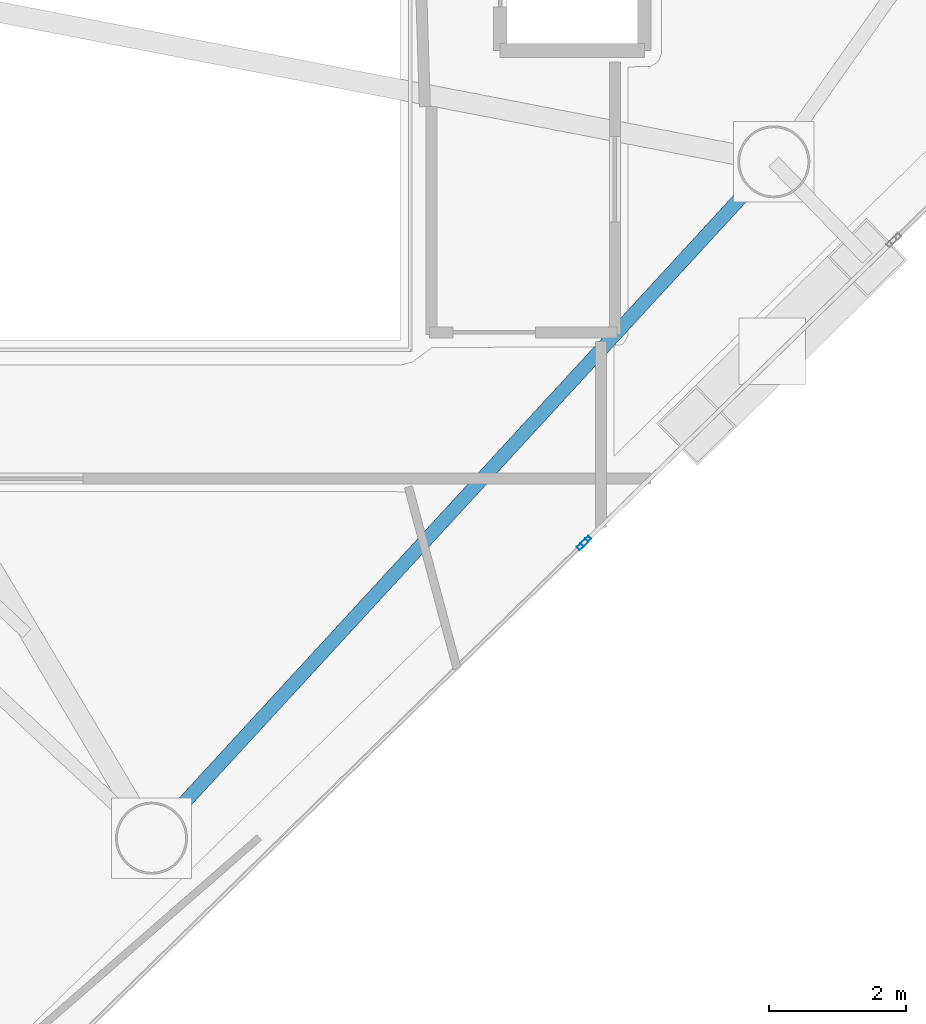
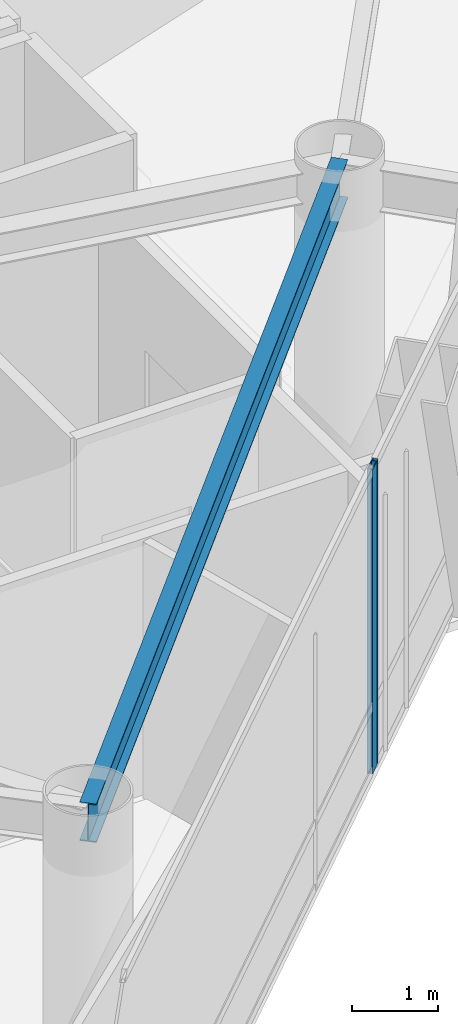
# One storey, part 5 of 21: 2 members, 1 beam, 2 elements without a shape of their own.
"""IFC4 building model written with IfcOpenShell, lengths in metres."""

from ifc_helpers import new_model, si_unit, direction, frame, origin, origin_2d, place, context, subcontext, project, spatial, hollow_rectangle, i_section, extrude, material, layer, layer_set, material_profile, profile_set, type_object, element, aggregate, save


model = new_model("IFC4")

# Units and contexts
model_context = context("Model", 3, precision=1e-05, world=origin(), true_north=direction((0.0, 1.0)))
body_context = subcontext(model_context, "Body", "Model", "MODEL_VIEW")
ifc_project = project(units=[si_unit("LENGTHUNIT", "METRE"), si_unit("AREAUNIT", "SQUARE_METRE"), si_unit("VOLUMEUNIT", "CUBIC_METRE"), si_unit("PLANEANGLEUNIT", "RADIAN"), si_unit("MASSUNIT", "GRAM", prefix="KILO")], contexts=[model_context])

# Site, building, storey
site_placement = place(None, origin())
site = spatial("IfcSite", under=ifc_project, at=site_placement, CompositionType="ELEMENT")
building_placement = place(site_placement, origin())
building = spatial("IfcBuilding", under=site, at=building_placement, Name="Qianvela Tower", CompositionType="ELEMENT")
storey_placement = place(building_placement, frame((0.0, 0.0, 234.5)))
storey = spatial("IfcBuildingStorey", under=building, at=storey_placement, Name="L60", CompositionType="ELEMENT", Elevation=234.5)

# Beam
ifc_material_1 = material(Name="Steel Q355B", Category="steel")
ifc_material_profile_1 = material_profile(ifc_material_1, i_section(OverallWidth=0.199951171875, OverallDepth=0.550048828125, WebThickness=0.010009765625, FlangeThickness=0.01611328125, at=origin_2d()), Name="HN550x200x10x16")
ifc_profile_set_1 = profile_set([ifc_material_profile_1], Name="Steel Q355B")
beam_type = type_object("IfcBeamType", Name="BM-HN550-GIRD", PredefinedType="BEAM", material=ifc_profile_set_1)
beam_placement = place(storey_placement, frame((36.368896484375, 10.741943359375, 4.04296875), z_axis=(0.677042708154, 0.735943728376, 0.0), x_axis=(-0.735943728376, 0.677042708154, 0.0)))
element("IfcBeam", 1, at=beam_placement, inside=storey, type_object=beam_type, Name="L60 Perimeter Ring Spandrel Girder 5", PredefinedType="BEAM", context=body_context, shape_type="SweptSolid", body=[
    extrude(i_section(OverallWidth=0.199951171875, OverallDepth=0.550048828125, WebThickness=0.010009765625, FlangeThickness=0.01611328125, at=origin_2d()), origin(), (0.0, 0.0, 1.0), 13.392333984375),
])

# Curtain wall, member
ifc_material_2 = material(Name="Anodised Architectural Aluminium and Insulated Spandrel Panel", Category="aluminium")
ifc_layer_1 = layer(ifc_material_2, 0.179931640625)
ifc_layer_set_1 = layer_set([ifc_layer_1], Name="Anodised Architectural Aluminium and Insulated Spandrel Panel")
curtain_wall_type_1 = type_object("IfcCurtainWallType", Name="CW-BRACEBAY", PredefinedType="USERDEFINED", material=ifc_layer_set_1)
curtain_wall_1_placement = place(storey_placement, origin())
curtain_wall_1 = element("IfcCurtainWall", 2, at=curtain_wall_1_placement, inside=storey, type_object=curtain_wall_type_1, Name="L60 CW-BRACEBAY Curtain Wall 06B", ObjectType="CURTAIN_WALL_SYSTEM", PredefinedType="USERDEFINED")
ifc_material_3 = material(Name="Anodised Architectural Aluminium 6063-T6", Category="aluminium")
ifc_material_profile_2 = material_profile(ifc_material_3, hollow_rectangle(XDim=0.06494140625, YDim=0.159912109375, WallThickness=0.0048828125, at=origin_2d()), Name="ALU-MULL-65x160")
ifc_profile_set_2 = profile_set([ifc_material_profile_2], Name="Anodised Architectural Aluminium 6063-T6")
member_type_1 = type_object("IfcMemberType", Name="CW-BRACEBAY-MULL", PredefinedType="MULLION", material=ifc_profile_set_2)
member_1_placement = place(storey_placement, frame((42.698486328125, 15.07080078125, 0.0), z_axis=(0.0, 0.0, 1.0), x_axis=(-0.699077597753, 0.715045811344, 0.0)))
member_1 = element("IfcMember", 3, at=member_1_placement, type_object=member_type_1, Name="CW-9 mullion 1", PredefinedType="MULLION", context=body_context, shape_type="SweptSolid", body=[
    extrude(hollow_rectangle(XDim=0.06494140625, YDim=0.159912109375, WallThickness=0.0048828125, at=origin_2d()), origin(), (0.0, 0.0, 1.0), 4.320068359375),
])
aggregate(curtain_wall_1, [member_1])

ifc_material_4 = material(Name="Anodised Architectural Aluminium and Low-E Glass", Category="aluminium")
ifc_layer_2 = layer(ifc_material_4, 0.18994140625)
ifc_layer_set_2 = layer_set([ifc_layer_2], Name="Anodised Architectural Aluminium and Low-E Glass")
curtain_wall_type_2 = type_object("IfcCurtainWallType", Name="CW-SKYLOBBY", PredefinedType="USERDEFINED", material=ifc_layer_set_2)
curtain_wall_2_placement = place(storey_placement, origin())
curtain_wall_2 = element("IfcCurtainWall", 4, at=curtain_wall_2_placement, inside=storey, type_object=curtain_wall_type_2, Name="L60 CW-SKYLOBBY Curtain Wall 06A", ObjectType="CURTAIN_WALL_SYSTEM", PredefinedType="USERDEFINED")
ifc_material_5 = material(Name="Anodised Architectural Aluminium 6063-T6", Category="aluminium")
ifc_material_profile_3 = material_profile(ifc_material_5, hollow_rectangle(XDim=0.070068359375, YDim=0.179931640625, WallThickness=0.0048828125, at=origin_2d()), Name="ALU-MULL-70x180")
ifc_profile_set_3 = profile_set([ifc_material_profile_3], Name="Anodised Architectural Aluminium 6063-T6")
member_type_2 = type_object("IfcMemberType", Name="CW-SKYLOBBY-MULL", PredefinedType="MULLION", material=ifc_profile_set_3)
member_2_placement = place(storey_placement, frame((42.650390625, 15.0234375, 0.0), z_axis=(0.0, 0.0, 1.0), x_axis=(-0.69907402028, 0.715049308908, 0.0)))
member_2 = element("IfcMember", 5, at=member_2_placement, type_object=member_type_2, Name="CW-7 mullion 2", PredefinedType="MULLION", context=body_context, shape_type="SweptSolid", body=[
    extrude(hollow_rectangle(XDim=0.070068359375, YDim=0.179931640625, WallThickness=0.0048828125, at=origin_2d()), origin(), (0.0, 0.0, 1.0), 4.320068359375),
])
aggregate(curtain_wall_2, [member_2])

save(model, "model.ifc")
